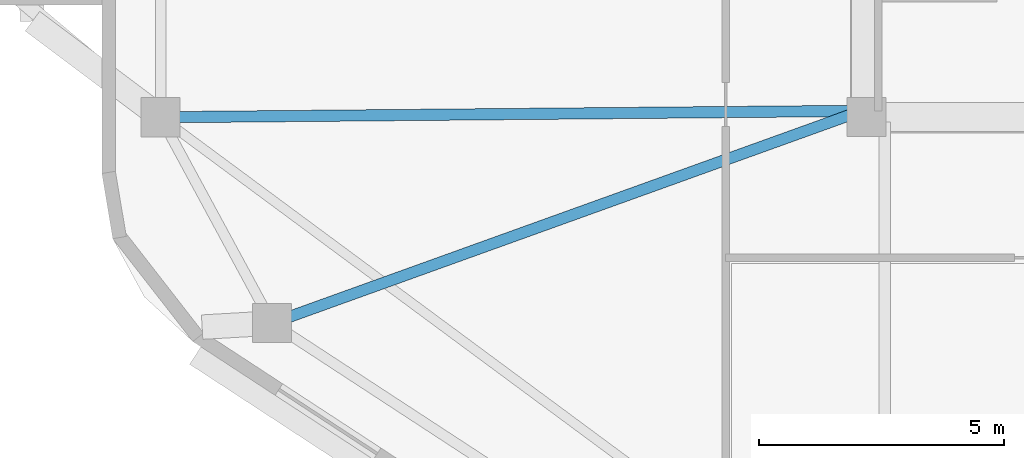
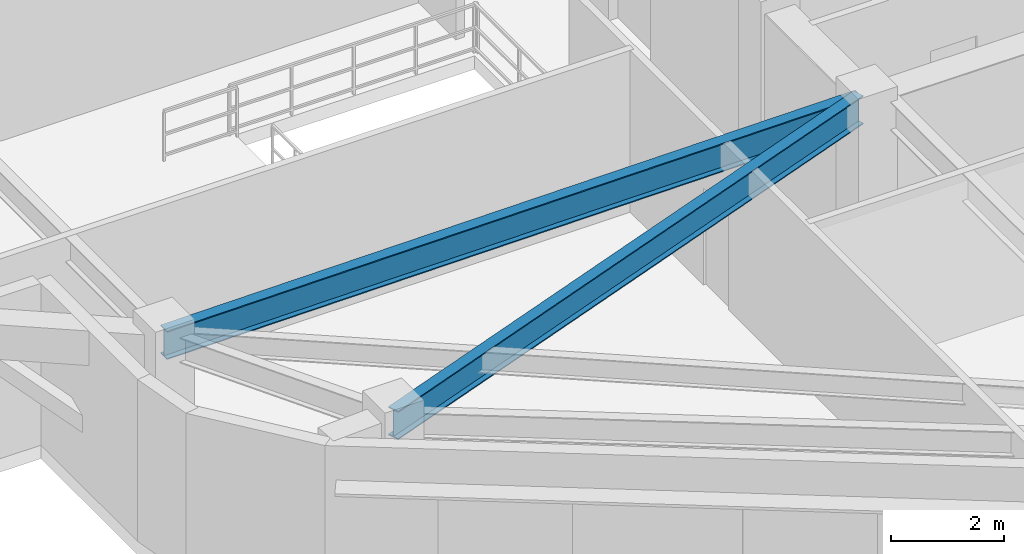
# One storey, part 3 of 16: 2 beams.
"""IFC4 building model written with IfcOpenShell, lengths in metres."""

from ifc_helpers import new_model, si_unit, direction, frame, origin, origin_2d, place, context, subcontext, project, spatial, i_section, extrude, material, material_profile, profile_set, type_object, element, save


model = new_model("IFC4")

# Units and contexts
model_context = context("Model", 3, precision=1e-05, world=origin(), true_north=direction((0.0, 1.0)))
body_context = subcontext(model_context, "Body", "Model", "MODEL_VIEW")
ifc_project = project(units=[si_unit("LENGTHUNIT", "METRE"), si_unit("AREAUNIT", "SQUARE_METRE"), si_unit("VOLUMEUNIT", "CUBIC_METRE"), si_unit("PLANEANGLEUNIT", "RADIAN"), si_unit("MASSUNIT", "GRAM", prefix="KILO")], contexts=[model_context])

# Site, building, storey
site_placement = place(None, origin())
site = spatial("IfcSite", under=ifc_project, at=site_placement, CompositionType="ELEMENT")
building_placement = place(site_placement, origin())
building = spatial("IfcBuilding", under=site, at=building_placement, Name="Zulverin Broadcast Headquarters", CompositionType="ELEMENT")
storey_placement = place(building_placement, frame((0.0, 0.0, 228.800048828125)))
storey = spatial("IfcBuildingStorey", under=building, at=storey_placement, Name="L58", CompositionType="ELEMENT", Elevation=228.800048828125)

# Beams
ifc_material = material(Name="Structural steel S355JR", Category="steel")
ifc_material_profile = material_profile(ifc_material, i_section(OverallWidth=0.230224609375, OverallDepth=0.6171875, WebThickness=0.01318359375, FlangeThickness=0.022216796875, at=origin_2d()), Name="Structural steel S355JR", Category="steel")
ifc_profile_set = profile_set([ifc_material_profile], Name="Structural steel S355JR")
beam_type = type_object("IfcBeamType", Name="BM-UB-610", PredefinedType="BEAM", material=ifc_profile_set)
beam_1_placement = place(storey_placement, frame((25.625, 17.449951171875, 3.201416015625), z_axis=(-0.999957965975, -0.009168766693, 0.0), x_axis=(0.009168766693, -0.999957965975, 0.0)))
element("IfcBeam", 1, at=beam_1_placement, inside=storey, type_object=beam_type, Name="L58 Radial Primary Floor Beam RB-14", PredefinedType="BEAM", context=body_context, shape_type="SweptSolid", body=[
    extrude(i_section(OverallWidth=0.230224609375, OverallDepth=0.6171875, WebThickness=0.01318359375, FlangeThickness=0.022216796875, at=origin_2d()), origin(), (0.0, 0.0, 1.0), 14.325439453125),
])
beam_2_placement = place(storey_placement, frame((25.625, 17.449951171875, 3.201416015625), z_axis=(-0.940871370382, -0.338764024646, 0.0), x_axis=(0.338764024646, -0.940871370382, 0.0)))
element("IfcBeam", 2, at=beam_2_placement, inside=storey, type_object=beam_type, Name="L58 Radial Primary Floor Beam RB-15", PredefinedType="BEAM", context=body_context, shape_type="SweptSolid", body=[
    extrude(i_section(OverallWidth=0.230224609375, OverallDepth=0.6171875, WebThickness=0.01318359375, FlangeThickness=0.022216796875, at=origin_2d()), origin(), (0.0, 0.0, 1.0), 12.8056640625),
])

save(model, "model.ifc")
